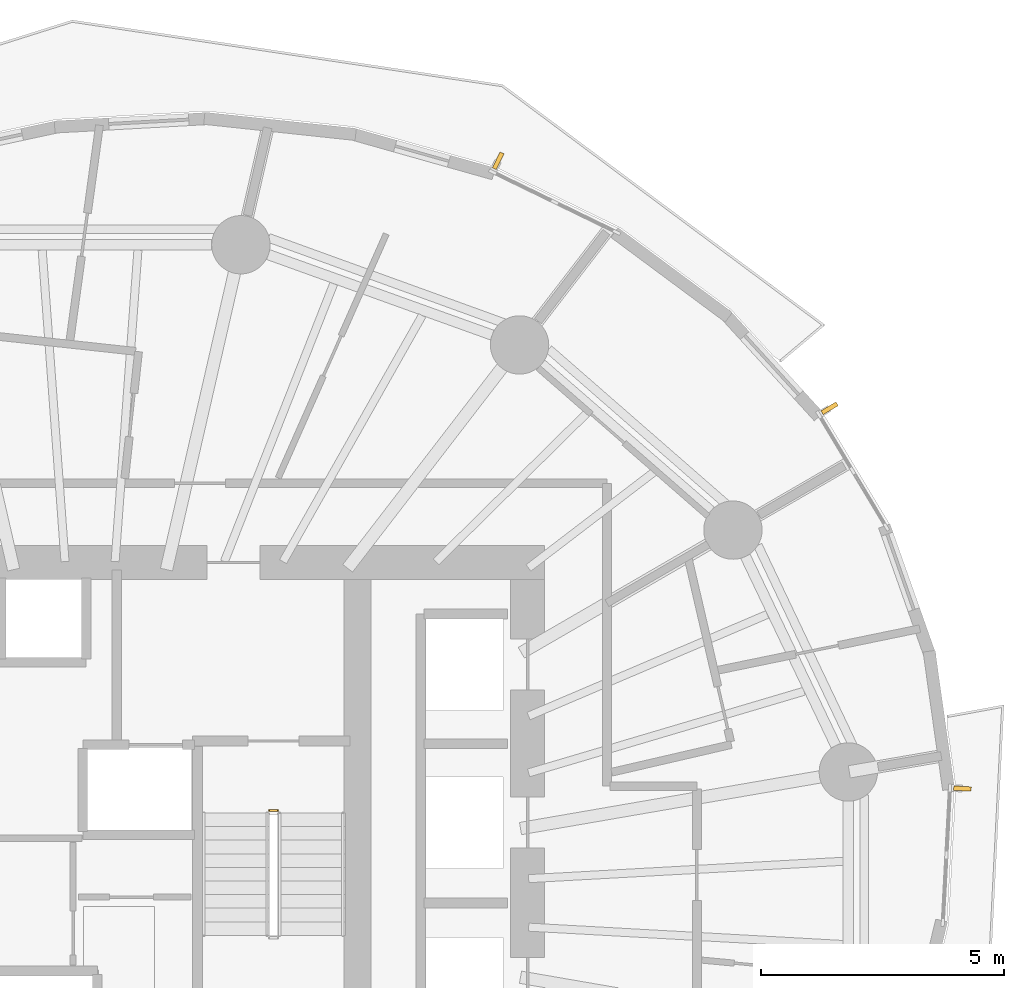
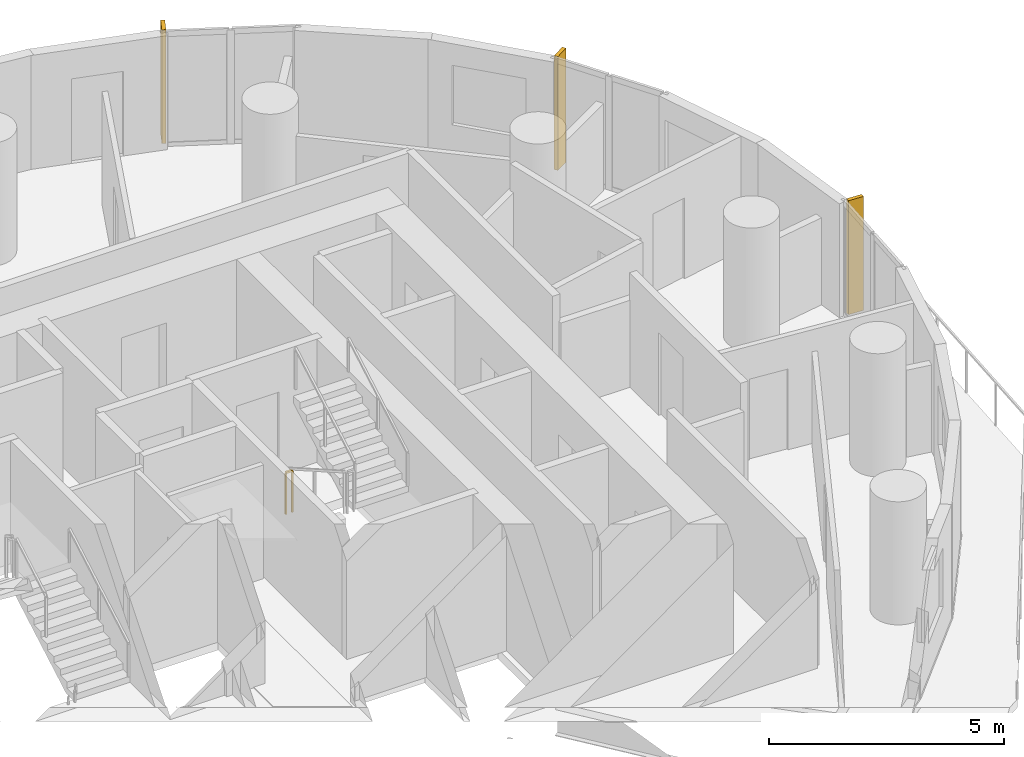
# One storey, part 15 of 15: 3 shading devices, 1 railing.
"""IFC4 building model written with IfcOpenShell, lengths in metres."""

from ifc_helpers import new_model, si_unit, direction, frame, origin, origin_2d, place, context, subcontext, project, spatial, rectangle, extrude, material, layer, layer_set, type_object, element, save


model = new_model("IFC4")

# Units and contexts
model_context = context("Model", 3, precision=1e-05, world=origin(), true_north=direction((0.0, 1.0)))
body_context = subcontext(model_context, "Body", "Model", "MODEL_VIEW")
ifc_project = project(units=[si_unit("LENGTHUNIT", "METRE"), si_unit("AREAUNIT", "SQUARE_METRE"), si_unit("VOLUMEUNIT", "CUBIC_METRE"), si_unit("PLANEANGLEUNIT", "RADIAN"), si_unit("MASSUNIT", "GRAM", prefix="KILO")], contexts=[model_context])

# Site, building, storey
site_placement = place(None, origin())
site = spatial("IfcSite", under=ifc_project, at=site_placement, CompositionType="ELEMENT")
building_placement = place(site_placement, origin())
building = spatial("IfcBuilding", under=site, at=building_placement, Name="Veldorim Arch Residences", CompositionType="ELEMENT")
storey_placement = place(building_placement, frame((0.0, 0.0, 106.080078125)))
storey = spatial("IfcBuildingStorey", under=building, at=storey_placement, Name="L31", CompositionType="ELEMENT", Elevation=106.080078125)

# Railing
ifc_material_1 = material(Name="Steel S355", Category="steel")
railing_type = type_object("IfcRailingType", Name="Galvanised Steel Stair Safety Guardrail 1100", PredefinedType="GUARDRAIL", material=ifc_material_1)
railing_placement = place(storey_placement, frame((35.68994140625, 25.89990234375, 0.0)))
element("IfcRailing", 1, at=railing_placement, inside=storey, type_object=railing_type, Name="L31 ST-2 stair guard 4", PredefinedType="GUARDRAIL", context=body_context, shape_type="SweptSolid", body=[
    extrude(rectangle(XDim=0.048095703125, YDim=0.048095703125, at=origin_2d()), frame((0.0, 0.0, 1.076171875), z_axis=(1.0, 0.0, 0.0), x_axis=(0.0, 1.0, 0.0)), (0.0, 0.0, 1.0), 0.16015625),
    extrude(rectangle(XDim=0.0419921875, YDim=0.0419921875, at=origin_2d()), origin(), (0.0, 0.0, 1.0), 1.052001953125),
    extrude(rectangle(XDim=0.0419921875, YDim=0.0419921875, at=origin_2d()), frame((0.16015625, 0.0, 0.0)), (0.0, 0.0, 1.0), 1.052001953125),
])

# Shading devices
ifc_material_2 = material(Name="Terracotta Ceramic", Category="masonry")
ifc_layer = layer(ifc_material_2, 0.090087890625, Name="Vertical Extruded Terracotta Baguette Sun-Shading Fin")
ifc_layer_set = layer_set([ifc_layer], Name="Terracotta Ceramic")
shading_device_type = type_object("IfcShadingDeviceType", Name="Vertical Extruded Terracotta Baguette Sun-Shading Fin", PredefinedType="USERDEFINED", material=ifc_layer_set)
for number, where, z_axis, x_axis, name in (
    (2, (47.209716796875, 34.17236328125, 0.0), (0.0, 0.0, 1.0), (0.514439533782, -0.857526656194, 0.0), "L31 vertical terracotta sun-shading fin 01"),
    (3, (40.393310546875, 39.26220703125, 0.0), (0.0, 0.0, 1.0), (0.899481528961, -0.436958784165, 0.0), "L31 vertical terracotta sun-shading fin 04"),
    (4, (49.941162109375, 26.350830078125, 0.0), (0.0, 0.0, 1.0), (-0.053033118368, -0.998592754007, 0.0), "L31 vertical terracotta sun-shading fin 34"),
):
    element("IfcShadingDevice", number, at=place(storey_placement, frame(where, z_axis=z_axis, x_axis=x_axis)), inside=storey, type_object=shading_device_type, Name=name, ObjectType="FIN", PredefinedType="USERDEFINED", context=body_context, shape_type="SweptSolid", body=[
        extrude(rectangle(XDim=0.090087890625, YDim=0.360107421875, at=origin_2d()), origin(), (0.0, 0.0, 1.0), 2.9599609375),
    ])

save(model, "model.ifc")
